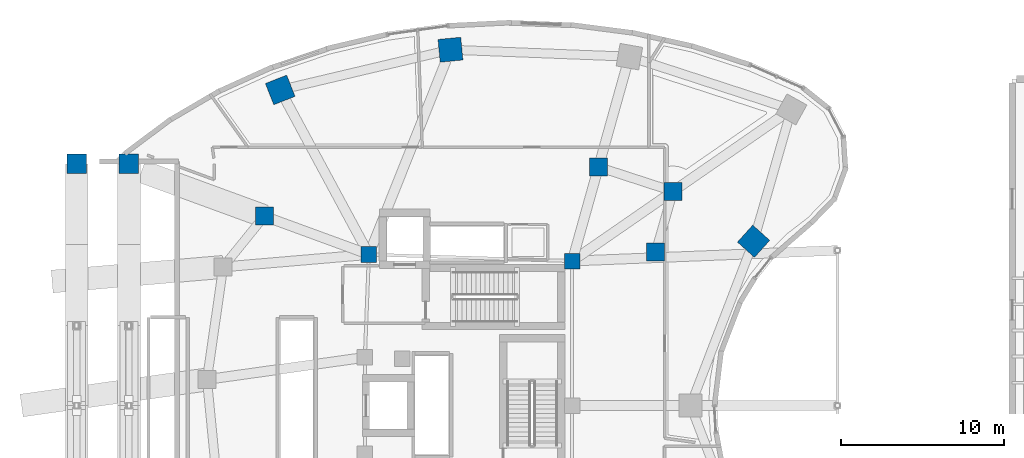
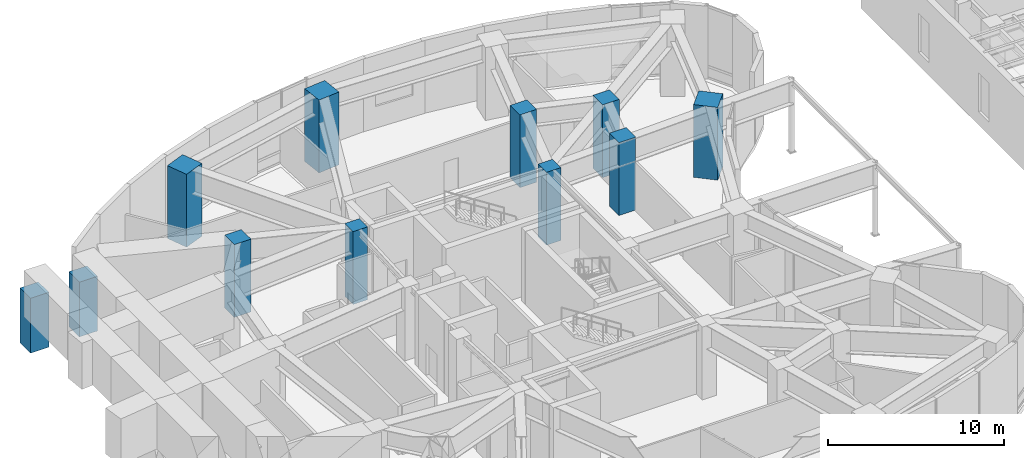
# One storey, part 3 of 23: 11 columns.
"""IFC4 building model written with IfcOpenShell, lengths in metres."""

from ifc_helpers import new_model, si_unit, direction, frame, origin, origin_2d, place, context, subcontext, project, spatial, rectangle, extrude, material, material_profile, profile_set, type_object, element, save


model = new_model("IFC4")

# Units and contexts
model_context = context("Model", 3, precision=1e-05, world=origin(), true_north=direction((0.0, 1.0)))
body_context = subcontext(model_context, "Body", "Model", "MODEL_VIEW")
ifc_project = project(units=[si_unit("LENGTHUNIT", "METRE"), si_unit("AREAUNIT", "SQUARE_METRE"), si_unit("VOLUMEUNIT", "CUBIC_METRE"), si_unit("PLANEANGLEUNIT", "RADIAN"), si_unit("MASSUNIT", "GRAM", prefix="KILO")], contexts=[model_context])

# Site, building, storey
site_placement = place(None, origin())
site = spatial("IfcSite", under=ifc_project, at=site_placement, CompositionType="ELEMENT")
building_placement = place(site_placement, origin())
building = spatial("IfcBuilding", under=site, at=building_placement, Name="Korentha Bioscience Tower", CompositionType="ELEMENT")
storey_placement = place(building_placement, frame((0.0, 0.0, 15.0)))
storey = spatial("IfcBuildingStorey", under=building, at=storey_placement, Name="L03", CompositionType="ELEMENT", Elevation=15.0)

# Columns
ifc_material_1 = material(Name="Concrete C65", Category="concrete")
ifc_material_profile_1 = material_profile(ifc_material_1, rectangle(XDim=0.949951171875, YDim=0.949951171875, at=origin_2d()), Name="Concrete C65")
ifc_profile_set_1 = profile_set([ifc_material_profile_1], Name="Concrete C65 (COL-CP09)")
column_type_1 = type_object("IfcColumnType", Name="Core Pilaster Column RC 950x950", PredefinedType="PILASTER", material=ifc_profile_set_1)
for number, where, z_axis, x_axis, name in (
    (1, (37.550048828125, 35.85009765625, -0.00048828125), (0.0, 0.0, 1.0), (1.0, 0.0, 0.0), "L03 Core Pilaster CP-01"),
    (2, (25.10009765625, 36.25, -0.00048828125), (0.0, 0.0, 1.0), (1.0, 0.0, 0.0), "L03 Core Pilaster CP-02"),
):
    element("IfcColumn", number, at=place(storey_placement, frame(where, z_axis=z_axis, x_axis=x_axis)), inside=storey, type_object=column_type_1, Name=name, PredefinedType="PILASTER", context=body_context, shape_type="SweptSolid", body=[
        extrude(rectangle(XDim=0.949951171875, YDim=0.949951171875, at=origin_2d()), origin(), (0.0, 0.0, 1.0), 5.051025390625),
    ])
ifc_material_2 = material(Name="Concrete C80", Category="concrete")
ifc_material_profile_2 = material_profile(ifc_material_2, rectangle(XDim=1.10009765625, YDim=1.10009765625, at=origin_2d()), Name="Concrete C80")
ifc_profile_set_2 = profile_set([ifc_material_profile_2], Name="Concrete C80 (COL-MR11)")
column_type_2 = type_object("IfcColumnType", Name="Mid-Ring Lab Column RC 1100x1100", PredefinedType="COLUMN", material=ifc_profile_set_2)
for number, where, z_axis, x_axis, name in (
    (3, (43.7265625, 40.121337890625, -0.00048828125), (0.0, 0.0, 1.0), (1.0, 0.0, 0.0), "L03 Mid-Ring Column 01"),
    (4, (39.1611328125, 41.607666015625, -0.00048828125), (0.0, 0.0, 1.0), (1.0, 0.0, 0.0), "L03 Mid-Ring Column 02"),
    (5, (18.692138671875, 38.5947265625, -0.00048828125), (0.0, 0.0, 1.0), (1.0, 0.0, 0.0), "L03 Mid-Ring Column 05"),
    (6, (42.66162109375, 36.406982421875, -0.00048828125), (0.0, 0.0, 1.0), (1.0, 0.0, 0.0), "L03 Mid-Ring Column 16"),
):
    element("IfcColumn", number, at=place(storey_placement, frame(where, z_axis=z_axis, x_axis=x_axis)), inside=storey, type_object=column_type_2, Name=name, PredefinedType="COLUMN", context=body_context, shape_type="SweptSolid", body=[
        extrude(rectangle(XDim=1.10009765625, YDim=1.10009765625, at=origin_2d()), origin(), (0.0, 0.0, 1.0), 5.051025390625),
    ])
ifc_material_profile_3 = material_profile(ifc_material_2, rectangle(XDim=1.199951171875, YDim=1.199951171875, at=origin_2d()), Name="Concrete C80")
ifc_profile_set_3 = profile_set([ifc_material_profile_3], Name="Concrete C80 (COL-P12)")
column_type_3 = type_object("IfcColumnType", Name="Perimeter Column RC 1200x1200", PredefinedType="COLUMN", material=ifc_profile_set_3)
for number, where, z_axis, x_axis, name in (
    (7, (7.199951171875, 41.800048828125, -0.35009765625), (0.0, 0.0, 1.0), (1.0, 0.0, 0.0), "L03 Arch End Pier 1-N"),
    (8, (10.39990234375, 41.800048828125, -0.35009765625), (0.0, 0.0, 1.0), (1.0, 0.0, 0.0), "L03 Arch End Pier 2-N"),
):
    element("IfcColumn", number, at=place(storey_placement, frame(where, z_axis=z_axis, x_axis=x_axis)), inside=storey, type_object=column_type_3, Name=name, PredefinedType="COLUMN", context=body_context, shape_type="SweptSolid", body=[
        extrude(rectangle(XDim=1.199951171875, YDim=1.199951171875, at=origin_2d()), origin(), (0.0, 0.0, 1.0), 3.800048828125),
    ])
ifc_material_profile_4 = material_profile(ifc_material_2, rectangle(XDim=1.39990234375, YDim=1.39990234375, at=origin_2d()), Name="Concrete C80")
ifc_profile_set_4 = profile_set([ifc_material_profile_4], Name="Concrete C80 (COL-P14)")
column_type_4 = type_object("IfcColumnType", Name="Perimeter Column RC 1400x1400", PredefinedType="COLUMN", material=ifc_profile_set_4)
for number, where, z_axis, x_axis, name in (
    (9, (30.09423828125, 48.79248046875, -0.00048828125), (0.0, 0.0, 1.0), (0.995462868748, 0.095150811579, 0.0), "L03 Perimeter Column 03"),
    (10, (19.66650390625, 46.328857421875, -0.00048828125), (0.0, 0.0, 1.0), (0.930225540858, 0.366988341962, 0.0), "L03 Perimeter Column 04"),
    (11, (48.661865234375, 37.060791015625, -0.00048828125), (0.0, 0.0, 1.0), (0.669130606359, 0.743144825477, 0.0), "L03 Perimeter Column 16"),
):
    element("IfcColumn", number, at=place(storey_placement, frame(where, z_axis=z_axis, x_axis=x_axis)), inside=storey, type_object=column_type_4, Name=name, PredefinedType="COLUMN", context=body_context, shape_type="SweptSolid", body=[
        extrude(rectangle(XDim=1.39990234375, YDim=1.39990234375, at=origin_2d()), origin(), (0.0, 0.0, 1.0), 5.051025390625),
    ])

save(model, "model.ifc")
